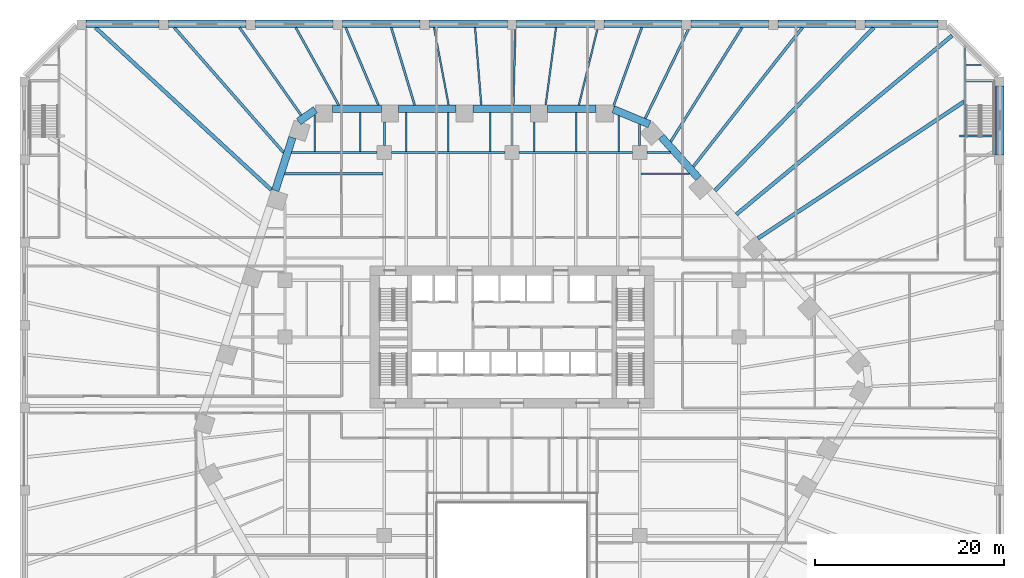
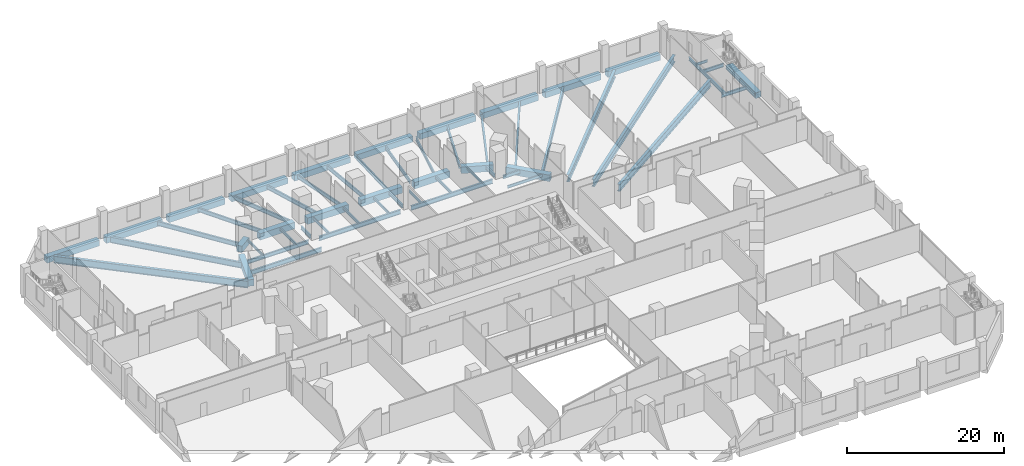
# One storey, part 12 of 29: 59 beams.
"""IFC4 building model written with IfcOpenShell, lengths in metres."""

from ifc_helpers import new_model, si_unit, direction, frame, origin, origin_2d, place, context, subcontext, project, spatial, rectangle, i_section, extrude, material, material_profile, profile_set, type_object, element, save


model = new_model("IFC4")

# Units and contexts
model_context = context("Model", 3, precision=1e-05, world=origin(), true_north=direction((0.0, 1.0)))
body_context = subcontext(model_context, "Body", "Model", "MODEL_VIEW")
ifc_project = project(units=[si_unit("LENGTHUNIT", "METRE"), si_unit("AREAUNIT", "SQUARE_METRE"), si_unit("VOLUMEUNIT", "CUBIC_METRE"), si_unit("PLANEANGLEUNIT", "RADIAN"), si_unit("MASSUNIT", "GRAM", prefix="KILO")], contexts=[model_context])

# Site, building, storey
site_placement = place(None, origin())
site = spatial("IfcSite", under=ifc_project, at=site_placement, CompositionType="ELEMENT")
building_placement = place(site_placement, origin())
building = spatial("IfcBuilding", under=site, at=building_placement, Name="Isthmus Gate Tower", CompositionType="ELEMENT")
storey_placement = place(building_placement, frame((0.0, 0.0, 27.0)))
storey = spatial("IfcBuildingStorey", under=building, at=storey_placement, Name="L04", CompositionType="ELEMENT", Elevation=27.0)

# Beams
ifc_material_1 = material(Name="Concrete f'c 70 MPa", Category="concrete")
ifc_material_profile_1 = material_profile(ifc_material_1, rectangle(XDim=0.800048828125, YDim=0.89990234375, at=origin_2d()), Name="RC 800X900")
ifc_profile_set_1 = profile_set([ifc_material_profile_1], Name="Concrete f'c 70 MPa")
beam_type_1 = type_object("IfcBeamType", Name="RC EDGE BEAM 800 X 900", PredefinedType="BEAM", material=ifc_profile_set_1)
beam_1_placement = place(storey_placement, frame((-45.0, 40.60009765625, -0.75), z_axis=(1.0, 0.0, 0.0), x_axis=(0.0, 1.0, 0.0)))
element("IfcBeam", 1, at=beam_1_placement, inside=storey, type_object=beam_type_1, Name="str-edgebeam-L04-09", PredefinedType="BEAM", context=body_context, shape_type="SweptSolid", body=[
    extrude(rectangle(XDim=0.800048828125, YDim=0.89990234375, at=origin_2d()), origin(), (0.0, 0.0, 1.0), 7.699951171875),
])
beam_2_placement = place(storey_placement, frame((-36.300048828125, 40.60009765625, -0.75), z_axis=(1.0, 0.0, 0.0), x_axis=(0.0, 1.0, 0.0)))
element("IfcBeam", 2, at=beam_2_placement, inside=storey, type_object=beam_type_1, Name="str-edgebeam-L04-10", PredefinedType="BEAM", context=body_context, shape_type="SweptSolid", body=[
    extrude(rectangle(XDim=0.800048828125, YDim=0.89990234375, at=origin_2d()), origin(), (0.0, 0.0, 1.0), 8.199951171875),
])
beam_3_placement = place(storey_placement, frame((-27.10009765625, 40.60009765625, -0.75), z_axis=(1.0, 0.0, 0.0), x_axis=(0.0, 1.0, 0.0)))
element("IfcBeam", 3, at=beam_3_placement, inside=storey, type_object=beam_type_1, Name="str-edgebeam-L04-11", PredefinedType="BEAM", context=body_context, shape_type="SweptSolid", body=[
    extrude(rectangle(XDim=0.800048828125, YDim=0.89990234375, at=origin_2d()), origin(), (0.0, 0.0, 1.0), 8.2001953125),
])
for number, where, z_axis, x_axis, name in (
    (4, (-17.89990234375, 40.60009765625, -0.75), (1.0, 0.0, 0.0), (0.0, 1.0, 0.0), "str-edgebeam-L04-12"),
    (5, (-8.699951171875, 40.60009765625, -0.75), (1.0, 0.0, 0.0), (0.0, 1.0, 0.0), "str-edgebeam-L04-13"),
    (6, (0.5, 40.60009765625, -0.75), (1.0, 0.0, 0.0), (0.0, 1.0, 0.0), "str-edgebeam-L04-14"),
    (7, (9.699951171875, 40.60009765625, -0.75), (1.0, 0.0, 0.0), (0.0, 1.0, 0.0), "str-edgebeam-L04-15"),
):
    element("IfcBeam", number, at=place(storey_placement, frame(where, z_axis=z_axis, x_axis=x_axis)), inside=storey, type_object=beam_type_1, Name=name, PredefinedType="BEAM", context=body_context, shape_type="SweptSolid", body=[
        extrude(rectangle(XDim=0.800048828125, YDim=0.89990234375, at=origin_2d()), origin(), (0.0, 0.0, 1.0), 8.199951171875),
    ])
beam_4_placement = place(storey_placement, frame((18.89990234375, 40.60009765625, -0.75), z_axis=(1.0, 0.0, 0.0), x_axis=(0.0, 1.0, 0.0)))
element("IfcBeam", 8, at=beam_4_placement, inside=storey, type_object=beam_type_1, Name="str-edgebeam-L04-16", PredefinedType="BEAM", context=body_context, shape_type="SweptSolid", body=[
    extrude(rectangle(XDim=0.800048828125, YDim=0.89990234375, at=origin_2d()), origin(), (0.0, 0.0, 1.0), 8.2001953125),
])
beam_5_placement = place(storey_placement, frame((28.10009765625, 40.60009765625, -0.75), z_axis=(1.0, 0.0, 0.0), x_axis=(0.0, 1.0, 0.0)))
element("IfcBeam", 9, at=beam_5_placement, inside=storey, type_object=beam_type_1, Name="str-edgebeam-L04-17", PredefinedType="BEAM", context=body_context, shape_type="SweptSolid", body=[
    extrude(rectangle(XDim=0.800048828125, YDim=0.89990234375, at=origin_2d()), origin(), (0.0, 0.0, 1.0), 8.199951171875),
])
beam_6_placement = place(storey_placement, frame((37.300048828125, 40.60009765625, -0.75), z_axis=(1.0, 0.0, 0.0), x_axis=(0.0, 1.0, 0.0)))
element("IfcBeam", 10, at=beam_6_placement, inside=storey, type_object=beam_type_1, Name="str-edgebeam-L04-18", PredefinedType="BEAM", context=body_context, shape_type="SweptSolid", body=[
    extrude(rectangle(XDim=0.800048828125, YDim=0.89990234375, at=origin_2d()), origin(), (0.0, 0.0, 1.0), 7.699951171875),
])
beam_7_placement = place(storey_placement, frame((51.60009765625, 34.0, -0.75), z_axis=(0.0, -1.0, 0.0), x_axis=(1.0, 0.0, 0.0)))
element("IfcBeam", 11, at=beam_7_placement, inside=storey, type_object=beam_type_1, Name="str-edgebeam-L04-20", PredefinedType="BEAM", context=body_context, shape_type="SweptSolid", body=[
    extrude(rectangle(XDim=0.800048828125, YDim=0.89990234375, at=origin_2d()), origin(), (0.0, 0.0, 1.0), 7.25),
])
ifc_material_2 = material(Name="Concrete f'c 70 MPa", Category="concrete")
ifc_material_profile_2 = material_profile(ifc_material_2, rectangle(XDim=0.800048828125, YDim=1.0, at=origin_2d()), Name="RC 800X1000")
ifc_profile_set_2 = profile_set([ifc_material_profile_2], Name="Concrete f'c 70 MPa")
beam_type_2 = type_object("IfcBeamType", Name="RC TUBE RING BEAM 800 X 1000", PredefinedType="BEAM", material=ifc_profile_set_2)
beam_8_placement = place(storey_placement, frame((10.701904296875, 31.56689453125, -0.800048828125), z_axis=(0.923334166719, -0.383997417399, 0.0), x_axis=(0.383997417399, 0.923334166719, 0.0)))
element("IfcBeam", 12, at=beam_8_placement, inside=storey, type_object=beam_type_2, Name="str-ringbeam-L04-00", PredefinedType="BEAM", context=body_context, shape_type="SweptSolid", body=[
    extrude(rectangle(XDim=0.800048828125, YDim=1.0, at=origin_2d()), origin(), (0.0, 0.0, 1.0), 4.15234375),
])
for number, where, z_axis, x_axis, name in (
    (13, (15.772216796875, 28.66357421875, -0.800048828125), (0.669141061586, -0.743135411415, 0.0), (0.743135411415, 0.669141061586, 0.0), "str-ringbeam-L04-01"),
    (14, (-25.02490234375, 22.978271484375, -0.800048828125), (0.309042953764, 0.951048081187, 0.0), (-0.951048081187, 0.309042953764, 0.0), "str-ringbeam-L04-21"),
):
    element("IfcBeam", number, at=place(storey_placement, frame(where, z_axis=z_axis, x_axis=x_axis)), inside=storey, type_object=beam_type_2, Name=name, PredefinedType="BEAM", context=body_context, shape_type="SweptSolid", body=[
        extrude(rectangle(XDim=0.800048828125, YDim=1.0, at=origin_2d()), origin(), (0.0, 0.0, 1.0), 5.889404296875),
    ])
beam_9_placement = place(storey_placement, frame((-22.553466796875, 30.260498046875, -0.800048828125), z_axis=(0.817857331203, 0.575421050882, 0.0), x_axis=(-0.575421050882, 0.817857331203, 0.0)))
element("IfcBeam", 15, at=beam_9_placement, inside=storey, type_object=beam_type_2, Name="str-ringbeam-L04-22", PredefinedType="BEAM", context=body_context, shape_type="SweptSolid", body=[
    extrude(rectangle(XDim=0.800048828125, YDim=1.0, at=origin_2d()), origin(), (0.0, 0.0, 1.0), 2.173095703125),
])
beam_10_placement = place(storey_placement, frame((-18.976318359375, 31.60009765625, -0.800048828125), z_axis=(1.0, 0.0, 0.0), x_axis=(0.0, 1.0, 0.0)))
element("IfcBeam", 16, at=beam_10_placement, inside=storey, type_object=beam_type_2, Name="str-ringbeam-L04-23", PredefinedType="BEAM", context=body_context, shape_type="SweptSolid", body=[
    extrude(rectangle(XDim=0.800048828125, YDim=1.0, at=origin_2d()), origin(), (0.0, 0.0, 1.0), 5.169677734375),
])
beam_11_placement = place(storey_placement, frame((-12.006591796875, 31.60009765625, -0.800048828125), z_axis=(1.0, 0.0, 0.0), x_axis=(0.0, 1.0, 0.0)))
element("IfcBeam", 17, at=beam_11_placement, inside=storey, type_object=beam_type_2, Name="str-ringbeam-L04-24", PredefinedType="BEAM", context=body_context, shape_type="SweptSolid", body=[
    extrude(rectangle(XDim=0.800048828125, YDim=1.0, at=origin_2d()), origin(), (0.0, 0.0, 1.0), 6.0693359375),
])
beam_12_placement = place(storey_placement, frame((-4.13720703125, 31.60009765625, -0.800048828125), z_axis=(1.0, 0.0, 0.0), x_axis=(0.0, 1.0, 0.0)))
element("IfcBeam", 18, at=beam_12_placement, inside=storey, type_object=beam_type_2, Name="str-ringbeam-L04-25", PredefinedType="BEAM", context=body_context, shape_type="SweptSolid", body=[
    extrude(rectangle(XDim=0.800048828125, YDim=1.0, at=origin_2d()), origin(), (0.0, 0.0, 1.0), 6.069580078125),
])
beam_13_placement = place(storey_placement, frame((3.732421875, 31.60009765625, -0.800048828125), z_axis=(1.0, 0.0, 0.0), x_axis=(0.0, 1.0, 0.0)))
element("IfcBeam", 19, at=beam_13_placement, inside=storey, type_object=beam_type_2, Name="str-ringbeam-L04-26", PredefinedType="BEAM", context=body_context, shape_type="SweptSolid", body=[
    extrude(rectangle(XDim=0.800048828125, YDim=1.0, at=origin_2d()), origin(), (0.0, 0.0, 1.0), 5.16943359375),
])
ifc_material_3 = material(Name="Structural steel ASTM A992 Gr 50", Category="steel")
ifc_material_profile_3 = material_profile(ifc_material_3, i_section(OverallWidth=0.1396484375, OverallDepth=0.4033203125, WebThickness=0.00634765625, FlangeThickness=0.010986328125, at=origin_2d()), Name="W16X31")
ifc_profile_set_3 = profile_set([ifc_material_profile_3], Name="Structural steel ASTM A992 Gr 50")
beam_type_3 = type_object("IfcBeamType", Name="STEEL FLOOR BEAM W16X31", PredefinedType="JOIST", material=ifc_profile_set_3)
beam_14_placement = place(storey_placement, frame((-20.846435546875, 27.1142578125, -0.501708984375), z_axis=(0.0, 1.0, 0.0), x_axis=(-1.0, 0.0, 0.0)))
element("IfcBeam", 20, at=beam_14_placement, inside=storey, type_object=beam_type_3, Name="str-beam-L04-10-00", PredefinedType="JOIST", context=body_context, shape_type="SweptSolid", body=[
    extrude(i_section(OverallWidth=0.1396484375, OverallDepth=0.4033203125, WebThickness=0.00634765625, FlangeThickness=0.010986328125, at=origin_2d()), origin(), (0.0, 0.0, 1.0), 3.858154296875),
])
beam_15_placement = place(storey_placement, frame((2.33740234375, 27.126953125, -0.501708984375), z_axis=(0.0, 1.0, 0.0), x_axis=(-1.0, 0.0, 0.0)))
element("IfcBeam", 21, at=beam_15_placement, inside=storey, type_object=beam_type_3, Name="str-beam-L04-22-00", PredefinedType="JOIST", context=body_context, shape_type="SweptSolid", body=[
    extrude(i_section(OverallWidth=0.1396484375, OverallDepth=0.4033203125, WebThickness=0.00634765625, FlangeThickness=0.010986328125, at=origin_2d()), origin(), (0.0, 0.0, 1.0), 3.072998046875),
])
beam_16_placement = place(storey_placement, frame((11.267578125, 27.126953125, -0.501708984375), z_axis=(0.0, 1.0, 0.0), x_axis=(-1.0, 0.0, 0.0)))
element("IfcBeam", 22, at=beam_16_placement, inside=storey, type_object=beam_type_3, Name="str-beam-L04-22-02", PredefinedType="JOIST", context=body_context, shape_type="SweptSolid", body=[
    extrude(i_section(OverallWidth=0.1396484375, OverallDepth=0.4033203125, WebThickness=0.00634765625, FlangeThickness=0.010986328125, at=origin_2d()), origin(), (0.0, 0.0, 1.0), 3.771484375),
])
beam_17_placement = place(storey_placement, frame((48.0, 36.25146484375, -0.501708984375), z_axis=(1.0, 0.0, 0.0), x_axis=(0.0, 1.0, 0.0)))
element("IfcBeam", 23, at=beam_17_placement, inside=storey, type_object=beam_type_3, Name="str-beam-L04-35-00", PredefinedType="JOIST", context=body_context, shape_type="SweptSolid", body=[
    extrude(i_section(OverallWidth=0.1396484375, OverallDepth=0.4033203125, WebThickness=0.00634765625, FlangeThickness=0.010986328125, at=origin_2d()), origin(), (0.0, 0.0, 1.0), 1.616943359375),
])
ifc_material_4 = material(Name="Structural steel ASTM A992 Gr 50", Category="steel")
ifc_material_profile_4 = material_profile(ifc_material_4, i_section(OverallWidth=0.15234375, OverallDepth=0.45068359375, WebThickness=0.0078125, FlangeThickness=0.010986328125, at=origin_2d()), Name="W18X35")
ifc_profile_set_4 = profile_set([ifc_material_profile_4], Name="Structural steel ASTM A992 Gr 50")
beam_type_4 = type_object("IfcBeamType", Name="STEEL FLOOR BEAM W18X35", PredefinedType="JOIST", material=ifc_profile_set_4)
beam_18_placement = place(storey_placement, frame((-16.0185546875, 27.1142578125, -0.525390625), z_axis=(0.0, 1.0, 0.0), x_axis=(-1.0, 0.0, 0.0)))
element("IfcBeam", 24, at=beam_18_placement, inside=storey, type_object=beam_type_4, Name="str-beam-L04-10-01", PredefinedType="JOIST", context=body_context, shape_type="SweptSolid", body=[
    extrude(i_section(OverallWidth=0.15234375, OverallDepth=0.45068359375, WebThickness=0.0078125, FlangeThickness=0.010986328125, at=origin_2d()), origin(), (0.0, 0.0, 1.0), 4.085693359375),
])
for number, where, z_axis, x_axis, name in (
    (25, (-11.18017578125, 27.126953125, -0.525390625), (0.0, 1.0, 0.0), (-1.0, 0.0, 0.0), "str-beam-L04-16-00"),
    (26, (-6.75, 27.126953125, -0.525390625), (0.0, 1.0, 0.0), (-1.0, 0.0, 0.0), "str-beam-L04-16-01"),
    (27, (-2.31982421875, 27.126953125, -0.525390625), (0.0, 1.0, 0.0), (-1.0, 0.0, 0.0), "str-beam-L04-16-02"),
    (28, (6.802490234375, 27.126953125, -0.525390625), (0.0, 1.0, 0.0), (-1.0, 0.0, 0.0), "str-beam-L04-22-01"),
):
    element("IfcBeam", number, at=place(storey_placement, frame(where, z_axis=z_axis, x_axis=x_axis)), inside=storey, type_object=beam_type_4, Name=name, PredefinedType="JOIST", context=body_context, shape_type="SweptSolid", body=[
        extrude(i_section(OverallWidth=0.15234375, OverallDepth=0.45068359375, WebThickness=0.0078125, FlangeThickness=0.010986328125, at=origin_2d()), origin(), (0.0, 0.0, 1.0), 4.072998046875),
    ])
beam_19_placement = place(storey_placement, frame((13.626953125, 24.76904296875, -0.525390625), z_axis=(1.0, 0.0, 0.0), x_axis=(0.0, 1.0, 0.0)))
element("IfcBeam", 29, at=beam_19_placement, inside=storey, type_object=beam_type_4, Name="str-beam-L04-29-02", PredefinedType="JOIST", context=body_context, shape_type="SweptSolid", body=[
    extrude(i_section(OverallWidth=0.15234375, OverallDepth=0.45068359375, WebThickness=0.0078125, FlangeThickness=0.010986328125, at=origin_2d()), origin(), (0.0, 0.0, 1.0), 5.11376953125),
])
ifc_material_5 = material(Name="Structural steel ASTM A992 Gr 50", Category="steel")
ifc_material_profile_5 = material_profile(ifc_material_5, i_section(OverallWidth=0.177734375, OverallDepth=0.60009765625, WebThickness=0.009521484375, FlangeThickness=0.0126953125, at=origin_2d()), Name="W24X55")
ifc_profile_set_5 = profile_set([ifc_material_profile_5], Name="Structural steel ASTM A992 Gr 50")
beam_type_5 = type_object("IfcBeamType", Name="STEEL FLOOR BEAM W24X55", PredefinedType="JOIST", material=ifc_profile_set_5)
beam_20_placement = place(storey_placement, frame((7.064697265625, 32.0, -0.60009765625), z_axis=(0.237314460197, 0.971432883416, 0.0), x_axis=(-0.971432883416, 0.237314460197, 0.0)))
element("IfcBeam", 30, at=beam_20_placement, inside=storey, type_object=beam_type_5, Name="str-beam-L04-19-14", PredefinedType="JOIST", context=body_context, shape_type="SweptSolid", body=[
    extrude(i_section(OverallWidth=0.177734375, OverallDepth=0.60009765625, WebThickness=0.009521484375, FlangeThickness=0.0126953125, at=origin_2d()), origin(), (0.0, 0.0, 1.0), 8.2353515625),
])
beam_21_placement = place(storey_placement, frame((3.55517578125, 32.0, -0.60009765625), z_axis=(0.132706866281, 0.991155329725, 0.0), x_axis=(-0.991155329725, 0.132706866281, 0.0)))
element("IfcBeam", 31, at=beam_21_placement, inside=storey, type_object=beam_type_5, Name="str-beam-L04-19-15", PredefinedType="JOIST", context=body_context, shape_type="SweptSolid", body=[
    extrude(i_section(OverallWidth=0.177734375, OverallDepth=0.60009765625, WebThickness=0.009521484375, FlangeThickness=0.0126953125, at=origin_2d()), origin(), (0.0, 0.0, 1.0), 8.273193359375),
])
beam_22_placement = place(storey_placement, frame((0.144775390625, 32.0, -0.60009765625), z_axis=(0.02660191055, 0.999646106557, 0.0), x_axis=(-0.999646106557, 0.02660191055, 0.0)))
element("IfcBeam", 32, at=beam_22_placement, inside=storey, type_object=beam_type_5, Name="str-beam-L04-19-16", PredefinedType="JOIST", context=body_context, shape_type="SweptSolid", body=[
    extrude(i_section(OverallWidth=0.177734375, OverallDepth=0.60009765625, WebThickness=0.009521484375, FlangeThickness=0.0126953125, at=origin_2d()), origin(), (0.0, 0.0, 1.0), 8.0029296875),
])
beam_23_placement = place(storey_placement, frame((-3.246337890625, 32.0, -0.60009765625), z_axis=(-0.079775891633, 0.996812824513, 0.0), x_axis=(-0.996812824513, -0.079775891633, 0.0)))
element("IfcBeam", 33, at=beam_23_placement, inside=storey, type_object=beam_type_5, Name="str-beam-L04-19-17", PredefinedType="JOIST", context=body_context, shape_type="SweptSolid", body=[
    extrude(i_section(OverallWidth=0.177734375, OverallDepth=0.60009765625, WebThickness=0.009521484375, FlangeThickness=0.0126953125, at=origin_2d()), origin(), (0.0, 0.0, 1.0), 8.22607421875),
])
beam_24_placement = place(storey_placement, frame((-6.696044921875, 32.0, -0.60009765625), z_axis=(-0.185261798366, 0.982689201155, 0.0), x_axis=(-0.982689201155, -0.185261798366, 0.0)))
element("IfcBeam", 34, at=beam_24_placement, inside=storey, type_object=beam_type_5, Name="str-beam-L04-19-18", PredefinedType="JOIST", context=body_context, shape_type="SweptSolid", body=[
    extrude(i_section(OverallWidth=0.177734375, OverallDepth=0.60009765625, WebThickness=0.009521484375, FlangeThickness=0.0126953125, at=origin_2d()), origin(), (0.0, 0.0, 1.0), 8.344482421875),
])
ifc_material_6 = material(Name="Structural steel ASTM A992 Gr 50", Category="steel")
ifc_material_profile_6 = material_profile(ifc_material_6, i_section(OverallWidth=0.228515625, OverallDepth=0.603271484375, WebThickness=0.010986328125, FlangeThickness=0.014404296875, at=origin_2d()), Name="W24X68")
ifc_profile_set_6 = profile_set([ifc_material_profile_6], Name="Structural steel ASTM A992 Gr 50")
beam_type_6 = type_object("IfcBeamType", Name="STEEL FLOOR BEAM W24X68", PredefinedType="JOIST", material=ifc_profile_set_6)
beam_25_placement = place(storey_placement, frame((10.701904296875, 31.83251953125, -0.6015625), z_axis=(0.33924717065, 0.940697271818, 0.0), x_axis=(-0.940697271818, 0.33924717065, 0.0)))
element("IfcBeam", 35, at=beam_25_placement, inside=storey, type_object=beam_type_6, Name="str-beam-L04-19-13", PredefinedType="JOIST", context=body_context, shape_type="SweptSolid", body=[
    extrude(i_section(OverallWidth=0.228515625, OverallDepth=0.603271484375, WebThickness=0.010986328125, FlangeThickness=0.014404296875, at=origin_2d()), origin(), (0.0, 0.0, 1.0), 8.89501953125),
])
beam_26_placement = place(storey_placement, frame((-10.287353515625, 32.0, -0.6015625), z_axis=(-0.288704882837, 0.95741813782, 0.0), x_axis=(-0.95741813782, -0.288704882837, 0.0)))
element("IfcBeam", 36, at=beam_26_placement, inside=storey, type_object=beam_type_6, Name="str-beam-L04-19-19", PredefinedType="JOIST", context=body_context, shape_type="SweptSolid", body=[
    extrude(i_section(OverallWidth=0.228515625, OverallDepth=0.603271484375, WebThickness=0.010986328125, FlangeThickness=0.014404296875, at=origin_2d()), origin(), (0.0, 0.0, 1.0), 8.564697265625),
])
beam_27_placement = place(storey_placement, frame((-14.1181640625, 32.0, -0.6015625), z_axis=(-0.388828211543, 0.921310274505, 0.0), x_axis=(-0.921310274505, -0.388828211543, 0.0)))
element("IfcBeam", 37, at=beam_27_placement, inside=storey, type_object=beam_type_6, Name="str-beam-L04-19-20", PredefinedType="JOIST", context=body_context, shape_type="SweptSolid", body=[
    extrude(i_section(OverallWidth=0.228515625, OverallDepth=0.603271484375, WebThickness=0.010986328125, FlangeThickness=0.014404296875, at=origin_2d()), origin(), (0.0, 0.0, 1.0), 8.900390625),
])
beam_28_placement = place(storey_placement, frame((-18.310791015625, 32.0, -0.6015625), z_axis=(-0.484559006189, 0.874758577849, 0.0), x_axis=(-0.874758577849, -0.484559006189, 0.0)))
element("IfcBeam", 38, at=beam_28_placement, inside=storey, type_object=beam_type_6, Name="str-beam-L04-19-21", PredefinedType="JOIST", context=body_context, shape_type="SweptSolid", body=[
    extrude(i_section(OverallWidth=0.228515625, OverallDepth=0.603271484375, WebThickness=0.010986328125, FlangeThickness=0.014404296875, at=origin_2d()), origin(), (0.0, 0.0, 1.0), 9.3740234375),
])
ifc_material_7 = material(Name="Structural steel ASTM A992 Gr 50", Category="steel")
ifc_material_profile_7 = material_profile(ifc_material_7, i_section(OverallWidth=0.25390625, OverallDepth=0.679443359375, WebThickness=0.010986328125, FlangeThickness=0.015869140625, at=origin_2d()), Name="W27X84")
ifc_profile_set_7 = profile_set([ifc_material_profile_7], Name="Structural steel ASTM A992 Gr 50")
beam_type_7 = type_object("IfcBeamType", Name="STEEL FLOOR BEAM W27X84", PredefinedType="JOIST", material=ifc_profile_set_7)
beam_29_placement = place(storey_placement, frame((-24.0224609375, 24.76904296875, -0.6396484375), z_axis=(1.0, 0.0, 0.0), x_axis=(0.0, 1.0, 0.0)))
element("IfcBeam", 39, at=beam_29_placement, inside=storey, type_object=beam_type_7, Name="str-beam-L04-09-02", PredefinedType="JOIST", context=body_context, shape_type="SweptSolid", body=[
    extrude(i_section(OverallWidth=0.25390625, OverallDepth=0.679443359375, WebThickness=0.010986328125, FlangeThickness=0.015869140625, at=origin_2d()), origin(), (0.0, 0.0, 1.0), 10.3955078125),
])
beam_30_placement = place(storey_placement, frame((14.074462890625, 30.59765625, -0.6396484375), z_axis=(0.437322819477, 0.899304593319, 0.0), x_axis=(-0.899304593319, 0.437322819477, 0.0)))
element("IfcBeam", 40, at=beam_30_placement, inside=storey, type_object=beam_type_7, Name="str-beam-L04-19-12", PredefinedType="JOIST", context=body_context, shape_type="SweptSolid", body=[
    extrude(i_section(OverallWidth=0.25390625, OverallDepth=0.679443359375, WebThickness=0.010986328125, FlangeThickness=0.015869140625, at=origin_2d()), origin(), (0.0, 0.0, 1.0), 10.455078125),
])
beam_31_placement = place(storey_placement, frame((-22.28564453125, 30.93798828125, -0.6396484375), z_axis=(-0.574780421983, 0.818307684496, 0.0), x_axis=(-0.818307684496, -0.574780421983, 0.0)))
element("IfcBeam", 41, at=beam_31_placement, inside=storey, type_object=beam_type_7, Name="str-beam-L04-19-22", PredefinedType="JOIST", context=body_context, shape_type="SweptSolid", body=[
    extrude(i_section(OverallWidth=0.25390625, OverallDepth=0.679443359375, WebThickness=0.010986328125, FlangeThickness=0.015869140625, at=origin_2d()), origin(), (0.0, 0.0, 1.0), 11.318359375),
])
ifc_material_8 = material(Name="Structural steel ASTM A992 Gr 50", Category="steel")
ifc_material_profile_8 = material_profile(ifc_material_8, i_section(OverallWidth=0.2666015625, OverallDepth=0.7587890625, WebThickness=0.014404296875, FlangeThickness=0.01904296875, at=origin_2d()), Name="W30X108")
ifc_profile_set_8 = profile_set([ifc_material_profile_8], Name="Structural steel ASTM A992 Gr 50")
beam_type_8 = type_object("IfcBeamType", Name="STEEL FLOOR BEAM W30X108", PredefinedType="JOIST", material=ifc_profile_set_8)
beam_32_placement = place(storey_placement, frame((16.777099609375, 28.1455078125, -0.679443359375), z_axis=(0.530414028531, 0.847738732357, 0.0), x_axis=(-0.847738732357, 0.530414028531, 0.0)))
element("IfcBeam", 42, at=beam_32_placement, inside=storey, type_object=beam_type_8, Name="str-beam-L04-19-11", PredefinedType="JOIST", context=body_context, shape_type="SweptSolid", body=[
    extrude(i_section(OverallWidth=0.2666015625, OverallDepth=0.7587890625, WebThickness=0.014404296875, FlangeThickness=0.01904296875, at=origin_2d()), origin(), (0.0, 0.0, 1.0), 14.219482421875),
])
ifc_material_9 = material(Name="Structural steel ASTM A992 Gr 50", Category="steel")
ifc_material_profile_9 = material_profile(ifc_material_9, i_section(OverallWidth=0.3046875, OverallDepth=0.901611328125, WebThickness=0.015869140625, FlangeThickness=0.0205078125, at=origin_2d()), Name="W36X135")
ifc_profile_set_9 = profile_set([ifc_material_profile_9], Name="Structural steel ASTM A992 Gr 50")
beam_type_9 = type_object("IfcBeamType", Name="STEEL FLOOR BEAM W36X135", PredefinedType="JOIST", material=ifc_profile_set_9)
beam_33_placement = place(storey_placement, frame((19.156005859375, 25.50341796875, -0.750732421875), z_axis=(0.617525476522, 0.786550879376, 0.0), x_axis=(-0.786550879376, 0.617525476522, 0.0)))
element("IfcBeam", 43, at=beam_33_placement, inside=storey, type_object=beam_type_9, Name="str-beam-L04-19-10", PredefinedType="JOIST", context=body_context, shape_type="SweptSolid", body=[
    extrude(i_section(OverallWidth=0.3046875, OverallDepth=0.901611328125, WebThickness=0.015869140625, FlangeThickness=0.0205078125, at=origin_2d()), origin(), (0.0, 0.0, 1.0), 18.684814453125),
])
beam_34_placement = place(storey_placement, frame((-24.139892578125, 26.99609375, -0.750732421875), z_axis=(-0.658515444293, 0.752567212698, 0.0), x_axis=(-0.752567212698, -0.658515444293, 0.0)))
element("IfcBeam", 44, at=beam_34_placement, inside=storey, type_object=beam_type_9, Name="str-beam-L04-19-23", PredefinedType="JOIST", context=body_context, shape_type="SweptSolid", body=[
    extrude(i_section(OverallWidth=0.3046875, OverallDepth=0.901611328125, WebThickness=0.015869140625, FlangeThickness=0.0205078125, at=origin_2d()), origin(), (0.0, 0.0, 1.0), 17.545166015625),
])
ifc_material_10 = material(Name="Structural steel ASTM A992 Gr 50", Category="steel")
ifc_material_profile_10 = material_profile(ifc_material_10, i_section(OverallWidth=0.39990234375, OverallDepth=1.089111328125, WebThickness=0.017578125, FlangeThickness=0.03173828125, at=origin_2d()), Name="W44X230")
ifc_profile_set_10 = profile_set([ifc_material_profile_10], Name="Structural steel ASTM A992 Gr 50")
beam_type_10 = type_object("IfcBeamType", Name="STEEL FLOOR BEAM W44X230", PredefinedType="JOIST", material=ifc_profile_set_10)
beam_35_placement = place(storey_placement, frame((25.988037109375, 17.91552734375, -0.844482421875), z_axis=(0.833311448453, 0.552803789674, 0.0), x_axis=(-0.552803789674, 0.833311448453, 0.0)))
element("IfcBeam", 45, at=beam_35_placement, inside=storey, type_object=beam_type_10, Name="str-beam-L04-19-07", PredefinedType="JOIST", context=body_context, shape_type="SweptSolid", body=[
    extrude(i_section(OverallWidth=0.39990234375, OverallDepth=1.089111328125, WebThickness=0.017578125, FlangeThickness=0.03173828125, at=origin_2d()), origin(), (0.0, 0.0, 1.0), 26.16357421875),
])
beam_36_placement = place(storey_placement, frame((23.7080078125, 20.44775390625, -0.844482421875), z_axis=(0.769837363843, 0.638240106254, 0.0), x_axis=(-0.638240106254, 0.769837363843, 0.0)))
element("IfcBeam", 46, at=beam_36_placement, inside=storey, type_object=beam_type_10, Name="str-beam-L04-19-08", PredefinedType="JOIST", context=body_context, shape_type="SweptSolid", body=[
    extrude(i_section(OverallWidth=0.39990234375, OverallDepth=1.089111328125, WebThickness=0.017578125, FlangeThickness=0.03173828125, at=origin_2d()), origin(), (0.0, 0.0, 1.0), 29.6240234375),
])
beam_37_placement = place(storey_placement, frame((21.447998046875, 22.957763671875, -0.844482421875), z_axis=(0.697629839034, 0.716458378198, 0.0), x_axis=(-0.716458378198, 0.697629839034, 0.0)))
element("IfcBeam", 47, at=beam_37_placement, inside=storey, type_object=beam_type_10, Name="str-beam-L04-19-09", PredefinedType="JOIST", context=body_context, shape_type="SweptSolid", body=[
    extrude(i_section(OverallWidth=0.39990234375, OverallDepth=1.089111328125, WebThickness=0.017578125, FlangeThickness=0.03173828125, at=origin_2d()), origin(), (0.0, 0.0, 1.0), 24.06591796875),
])
beam_38_placement = place(storey_placement, frame((-25.427001953125, 23.035400390625, -0.844482421875), z_axis=(-0.73477311277, 0.678312960771, 0.0), x_axis=(-0.678312960771, -0.73477311277, 0.0)))
element("IfcBeam", 48, at=beam_38_placement, inside=storey, type_object=beam_type_10, Name="str-beam-L04-19-24", PredefinedType="JOIST", context=body_context, shape_type="SweptSolid", body=[
    extrude(i_section(OverallWidth=0.39990234375, OverallDepth=1.089111328125, WebThickness=0.017578125, FlangeThickness=0.03173828125, at=origin_2d()), origin(), (0.0, 0.0, 1.0), 25.3046875),
])
ifc_material_11 = material(Name="Structural steel ASTM A992 Gr 50", Category="steel")
ifc_material_profile_11 = material_profile(ifc_material_11, i_section(OverallWidth=0.20947265625, OverallDepth=0.533447265625, WebThickness=0.009521484375, FlangeThickness=0.015869140625, at=origin_2d()), Name="W21X62")
ifc_profile_set_11 = profile_set([ifc_material_profile_11], Name="Structural steel ASTM A992 Gr 50")
beam_type_11 = type_object("IfcBeamType", Name="STEEL GIRDER W21X62", PredefinedType="BEAM", material=ifc_profile_set_11)
beam_39_placement = place(storey_placement, frame((14.25, 27.0, -0.566650390625), z_axis=(1.0, 0.0, 0.0), x_axis=(0.0, 1.0, 0.0)))
element("IfcBeam", 49, at=beam_39_placement, inside=storey, type_object=beam_type_11, Name="str-girder-L04-19", PredefinedType="BEAM", context=body_context, shape_type="SweptSolid", body=[
    extrude(i_section(OverallWidth=0.20947265625, OverallDepth=0.533447265625, WebThickness=0.009521484375, FlangeThickness=0.015869140625, at=origin_2d()), origin(), (0.0, 0.0, 1.0), 2.48193359375),
])
beam_40_placement = place(storey_placement, frame((-13.5, 27.75, -0.566650390625), z_axis=(0.0, 1.0, 0.0), x_axis=(-1.0, 0.0, 0.0)))
element("IfcBeam", 50, at=beam_40_placement, inside=storey, type_object=beam_type_11, Name="str-girder-L04-27", PredefinedType="BEAM", context=body_context, shape_type="SweptSolid", body=[
    extrude(i_section(OverallWidth=0.20947265625, OverallDepth=0.533447265625, WebThickness=0.009521484375, FlangeThickness=0.015869140625, at=origin_2d()), origin(), (0.0, 0.0, 1.0), 2.449951171875),
])
beam_41_placement = place(storey_placement, frame((0.0, 27.75, -0.566650390625), z_axis=(0.0, 1.0, 0.0), x_axis=(-1.0, 0.0, 0.0)))
element("IfcBeam", 51, at=beam_41_placement, inside=storey, type_object=beam_type_11, Name="str-girder-L04-30", PredefinedType="BEAM", context=body_context, shape_type="SweptSolid", body=[
    extrude(i_section(OverallWidth=0.20947265625, OverallDepth=0.533447265625, WebThickness=0.009521484375, FlangeThickness=0.015869140625, at=origin_2d()), origin(), (0.0, 0.0, 1.0), 3.449951171875),
])
beam_42_placement = place(storey_placement, frame((13.5, 27.75, -0.566650390625), z_axis=(0.0, 1.0, 0.0), x_axis=(-1.0, 0.0, 0.0)))
element("IfcBeam", 52, at=beam_42_placement, inside=storey, type_object=beam_type_11, Name="str-girder-L04-34", PredefinedType="BEAM", context=body_context, shape_type="SweptSolid", body=[
    extrude(i_section(OverallWidth=0.20947265625, OverallDepth=0.533447265625, WebThickness=0.009521484375, FlangeThickness=0.015869140625, at=origin_2d()), origin(), (0.0, 0.0, 1.0), 2.219970703125),
])
ifc_material_12 = material(Name="Structural steel ASTM A992 Gr 50", Category="steel")
ifc_material_profile_12 = material_profile(ifc_material_12, i_section(OverallWidth=0.228515625, OverallDepth=0.6064453125, WebThickness=0.010986328125, FlangeThickness=0.017578125, at=origin_2d()), Name="W24X76")
ifc_profile_set_12 = profile_set([ifc_material_profile_12], Name="Structural steel ASTM A992 Gr 50")
beam_type_12 = type_object("IfcBeamType", Name="STEEL GIRDER W24X76", PredefinedType="BEAM", material=ifc_profile_set_12)
beam_43_placement = place(storey_placement, frame((-23.297607421875, 27.0, -0.603271484375), z_axis=(1.0, 0.0, 0.0), x_axis=(0.0, 1.0, 0.0)))
element("IfcBeam", 53, at=beam_43_placement, inside=storey, type_object=beam_type_12, Name="str-girder-L04-16", PredefinedType="BEAM", context=body_context, shape_type="SweptSolid", body=[
    extrude(i_section(OverallWidth=0.228515625, OverallDepth=0.6064453125, WebThickness=0.010986328125, FlangeThickness=0.017578125, at=origin_2d()), origin(), (0.0, 0.0, 1.0), 9.047607421875),
])
ifc_material_13 = material(Name="Structural steel ASTM A992 Gr 50", Category="steel")
ifc_material_profile_13 = material_profile(ifc_material_13, i_section(OverallWidth=0.25390625, OverallDepth=0.679443359375, WebThickness=0.010986328125, FlangeThickness=0.015869140625, at=origin_2d()), Name="W27X84")
ifc_profile_set_13 = profile_set([ifc_material_profile_13], Name="Structural steel ASTM A992 Gr 50")
beam_type_13 = type_object("IfcBeamType", Name="STEEL GIRDER W27X84", PredefinedType="BEAM", material=ifc_profile_set_13)
for number, where, z_axis, x_axis, name in (
    (54, (-12.75, 27.0, -0.6396484375), (1.0, 0.0, 0.0), (0.0, 1.0, 0.0), "str-girder-L04-17"),
    (55, (0.75, 27.0, -0.6396484375), (1.0, 0.0, 0.0), (0.0, 1.0, 0.0), "str-girder-L04-18"),
):
    element("IfcBeam", number, at=place(storey_placement, frame(where, z_axis=z_axis, x_axis=x_axis)), inside=storey, type_object=beam_type_13, Name=name, PredefinedType="BEAM", context=body_context, shape_type="SweptSolid", body=[
        extrude(i_section(OverallWidth=0.25390625, OverallDepth=0.679443359375, WebThickness=0.010986328125, FlangeThickness=0.015869140625, at=origin_2d()), origin(), (0.0, 0.0, 1.0), 12.0),
    ])
ifc_material_14 = material(Name="Structural steel ASTM A992 Gr 50", Category="steel")
ifc_material_profile_14 = material_profile(ifc_material_14, i_section(OverallWidth=0.20947265625, OverallDepth=0.533447265625, WebThickness=0.009521484375, FlangeThickness=0.015869140625, at=origin_2d()), Name="W21X62")
ifc_profile_set_14 = profile_set([ifc_material_profile_14], Name="Structural steel ASTM A992 Gr 50")
beam_type_14 = type_object("IfcBeamType", Name="STEEL TRIMMER W21X62", PredefinedType="BEAM", material=ifc_profile_set_14)
beam_44_placement = place(storey_placement, frame((51.0546875, 26.75, -0.566650390625), z_axis=(0.0, 1.0, 0.0), x_axis=(-1.0, 0.0, 0.0)))
element("IfcBeam", 56, at=beam_44_placement, inside=storey, type_object=beam_type_14, Name="str-trimmer-L04-07", PredefinedType="BEAM", context=body_context, shape_type="SweptSolid", body=[
    extrude(i_section(OverallWidth=0.20947265625, OverallDepth=0.533447265625, WebThickness=0.009521484375, FlangeThickness=0.015869140625, at=origin_2d()), origin(), (0.0, 0.0, 1.0), 7.25),
])
beam_45_placement = place(storey_placement, frame((47.895263671875, 37.973388671875, -0.566650390625), z_axis=(0.0, -1.0, 0.0), x_axis=(1.0, 0.0, 0.0)))
element("IfcBeam", 57, at=beam_45_placement, inside=storey, type_object=beam_type_14, Name="str-trimmer-L04-08", PredefinedType="BEAM", context=body_context, shape_type="SweptSolid", body=[
    extrude(i_section(OverallWidth=0.20947265625, OverallDepth=0.533447265625, WebThickness=0.009521484375, FlangeThickness=0.015869140625, at=origin_2d()), origin(), (0.0, 0.0, 1.0), 9.1484375),
])
beam_46_placement = place(storey_placement, frame((51.0, 34.52978515625, -0.566650390625), z_axis=(-1.0, 0.0, 0.0), x_axis=(0.0, -1.0, 0.0)))
element("IfcBeam", 58, at=beam_46_placement, inside=storey, type_object=beam_type_14, Name="str-trimmer-L04-17", PredefinedType="BEAM", context=body_context, shape_type="SweptSolid", body=[
    extrude(i_section(OverallWidth=0.20947265625, OverallDepth=0.533447265625, WebThickness=0.009521484375, FlangeThickness=0.015869140625, at=origin_2d()), origin(), (0.0, 0.0, 1.0), 3.0),
])
beam_47_placement = place(storey_placement, frame((47.300048828125, 28.72021484375, -0.566650390625), z_axis=(1.0, 0.0, 0.0), x_axis=(0.0, 1.0, 0.0)))
element("IfcBeam", 59, at=beam_47_placement, inside=storey, type_object=beam_type_14, Name="str-trimmer-L04-18", PredefinedType="BEAM", context=body_context, shape_type="SweptSolid", body=[
    extrude(i_section(OverallWidth=0.20947265625, OverallDepth=0.533447265625, WebThickness=0.009521484375, FlangeThickness=0.015869140625, at=origin_2d()), origin(), (0.0, 0.0, 1.0), 3.64990234375),
])

save(model, "model.ifc")
